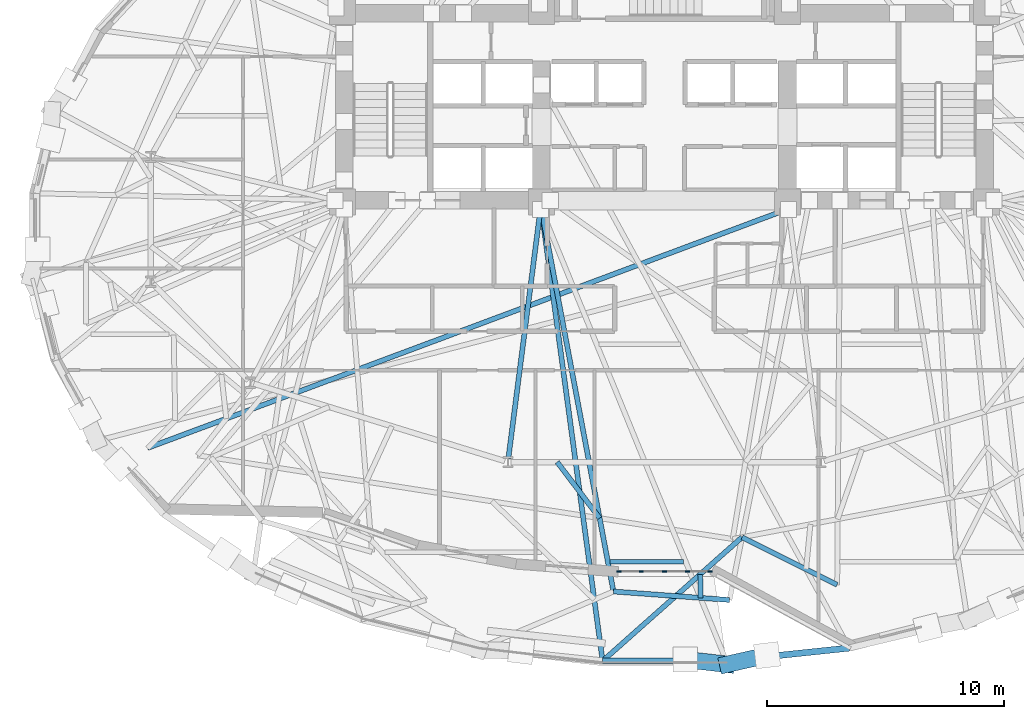
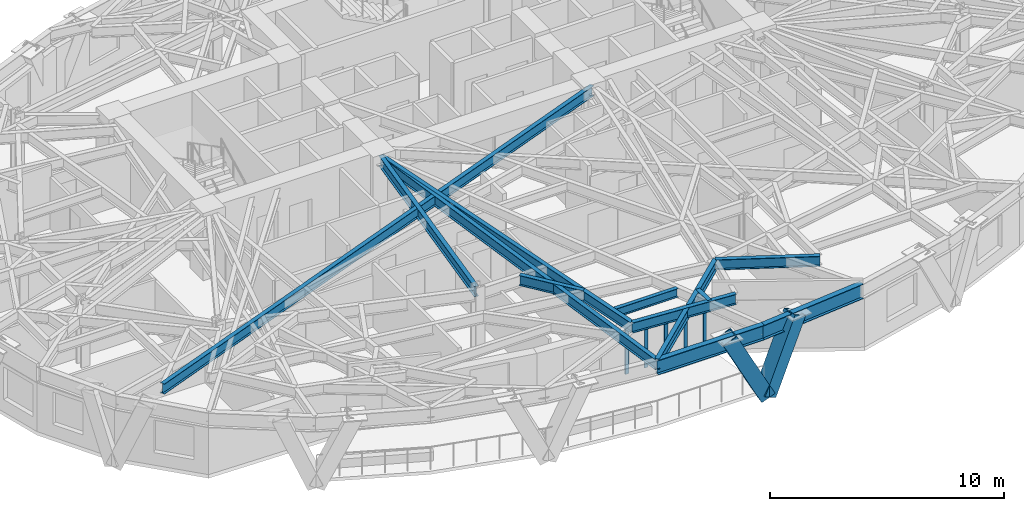
# One storey, part 2 of 15: 12 beams, 7 members, 1 element without a shape of its own.
"""IFC4 building model written with IfcOpenShell, lengths in metres."""

from ifc_helpers import new_model, si_unit, direction, frame, origin, origin_2d, place, context, subcontext, project, spatial, rectangle, hollow_rectangle, i_section, extrude, material, layer, layer_set, material_profile, profile_set, type_object, element, aggregate, save


model = new_model("IFC4")

# Units and contexts
model_context = context("Model", 3, precision=1e-05, world=origin(), true_north=direction((0.0, 1.0)))
body_context = subcontext(model_context, "Body", "Model", "MODEL_VIEW")
ifc_project = project(units=[si_unit("LENGTHUNIT", "METRE"), si_unit("AREAUNIT", "SQUARE_METRE"), si_unit("VOLUMEUNIT", "CUBIC_METRE"), si_unit("PLANEANGLEUNIT", "RADIAN"), si_unit("MASSUNIT", "GRAM", prefix="KILO")], contexts=[model_context])

# Site, building, storey
site_placement = place(None, origin())
site = spatial("IfcSite", under=ifc_project, at=site_placement, CompositionType="ELEMENT")
building_placement = place(site_placement, origin())
building = spatial("IfcBuilding", under=site, at=building_placement, Name="Keldmark Tower", CompositionType="ELEMENT")
storey_placement = place(building_placement, frame((0.0, 0.0, 114.10009765625)))
storey = spatial("IfcBuildingStorey", under=building, at=storey_placement, Name="L30", CompositionType="ELEMENT", Elevation=114.10009765625)

# Beam
ifc_material_1 = material(Name="Steel ASTM A992 Grade 50", Category="steel")
ifc_material_profile_1 = material_profile(ifc_material_1, i_section(OverallWidth=0.19091796875, OverallDepth=0.45703125, WebThickness=0.009033203125, FlangeThickness=0.014404296875, at=origin_2d()), Name="W18X50")
ifc_profile_set_1 = profile_set([ifc_material_profile_1], Name="Steel ASTM A992 Grade 50")
beam_type_1 = type_object("IfcBeamType", Name="Composite Floor Joist W18X50", PredefinedType="JOIST", material=ifc_profile_set_1)
beam_1_placement = place(storey_placement, frame((-2.290771484375, -13.800048828125, 3.081298828125), z_axis=(1.0, 0.0, 0.0), x_axis=(0.0, 1.0, 0.0)))
element("IfcBeam", 1, at=beam_1_placement, inside=storey, type_object=beam_type_1, Name="L30 Composite Floor Joist J02", PredefinedType="JOIST", context=body_context, shape_type="SweptSolid", body=[
    extrude(i_section(OverallWidth=0.19091796875, OverallDepth=0.45703125, WebThickness=0.009033203125, FlangeThickness=0.014404296875, at=origin_2d()), origin(), (0.0, 0.0, 1.0), 3.087158203125),
])

# Curtain wall, members
ifc_material_2 = material(Name="Unitized Thermally Broken Aluminum and Triple Low-E Glazing", Category="aluminium")
ifc_layer = layer(ifc_material_2, 0.219970703125)
ifc_layer_set = layer_set([ifc_layer], Name="Unitized Thermally Broken Aluminum and Triple Low-E Glazing")
curtain_wall_type = type_object("IfcCurtainWallType", Name="Spiralling Sky-Garden Feature Curtain Wall System", PredefinedType="NOTDEFINED", material=ifc_layer_set)
curtain_wall_placement = place(storey_placement, origin())
curtain_wall = element("IfcCurtainWall", 2, at=curtain_wall_placement, inside=storey, type_object=curtain_wall_type, Name="L30 Spiralling Sky-Garden Feature Curtain Wall System CW-L30-24", PredefinedType="NOTDEFINED")
ifc_material_3 = material(Name="Extruded Aluminum Alloy 6063-T6", Category="aluminium")
ifc_material_profile_2 = material_profile(ifc_material_3, rectangle(XDim=0.06005859375, YDim=0.179931640625, at=origin_2d()), Name="CWM60X180")
ifc_profile_set_2 = profile_set([ifc_material_profile_2], Name="Extruded Aluminum Alloy 6063-T6")
member_type_1 = type_object("IfcMemberType", Name="Curtain Wall Structural Mullion 60x180", PredefinedType="MULLION", material=ifc_profile_set_2)
member_1_placement = place(storey_placement, frame((1.92529296875, -14.2021484375, 0.0), z_axis=(0.0, 0.0, 1.0), x_axis=(0.0, -1.0, 0.0)))
member_1 = element("IfcMember", 3, at=member_1_placement, type_object=member_type_1, Name="CW mullion 1", PredefinedType="MULLION", context=body_context, shape_type="SweptSolid", body=[
    extrude(rectangle(XDim=0.06005859375, YDim=0.179931640625, at=origin_2d()), origin(), (0.0, 0.0, 1.0), 2.52783203125),
])
member_2_placement = place(storey_placement, frame((0.9775390625, -14.2021484375, 0.0), z_axis=(0.0, 0.0, 1.0), x_axis=(0.0, -1.0, 0.0)))
member_2 = element("IfcMember", 4, at=member_2_placement, type_object=member_type_1, Name="CW mullion 2", PredefinedType="MULLION", context=body_context, shape_type="SweptSolid", body=[
    extrude(rectangle(XDim=0.06005859375, YDim=0.179931640625, at=origin_2d()), origin(), (0.0, 0.0, 1.0), 2.52783203125),
])
member_3_placement = place(storey_placement, frame((0.0, -14.2021484375, 0.0), z_axis=(0.0, 0.0, 1.0), x_axis=(0.0, -1.0, 0.0)))
member_3 = element("IfcMember", 5, at=member_3_placement, type_object=member_type_1, Name="CW mullion 3", PredefinedType="MULLION", context=body_context, shape_type="SweptSolid", body=[
    extrude(rectangle(XDim=0.06005859375, YDim=0.179931640625, at=origin_2d()), origin(), (0.0, 0.0, 1.0), 2.52783203125),
])
member_4_placement = place(storey_placement, frame((-0.9775390625, -14.2021484375, 0.0), z_axis=(0.0, 0.0, 1.0), x_axis=(0.0, -1.0, 0.0)))
member_4 = element("IfcMember", 6, at=member_4_placement, type_object=member_type_1, Name="CW mullion 4", PredefinedType="MULLION", context=body_context, shape_type="SweptSolid", body=[
    extrude(rectangle(XDim=0.06005859375, YDim=0.179931640625, at=origin_2d()), origin(), (0.0, 0.0, 1.0), 2.52783203125),
])
member_5_placement = place(storey_placement, frame((-1.92529296875, -14.2021484375, 0.0), z_axis=(0.0, 0.0, 1.0), x_axis=(0.0, -1.0, 0.0)))
member_5 = element("IfcMember", 7, at=member_5_placement, type_object=member_type_1, Name="CW mullion 5", PredefinedType="MULLION", context=body_context, shape_type="SweptSolid", body=[
    extrude(rectangle(XDim=0.06005859375, YDim=0.179931640625, at=origin_2d()), origin(), (0.0, 0.0, 1.0), 2.52783203125),
])
aggregate(curtain_wall, [member_1, member_2, member_3, member_4, member_5])

# Members
ifc_material_4 = material(Name="Steel ASTM A572 Grade 50", Category="steel")
ifc_material_profile_3 = material_profile(ifc_material_4, hollow_rectangle(XDim=0.699951171875, YDim=0.699951171875, WallThickness=0.044921875, at=origin_2d()), Name="BOX700X700X45")
ifc_profile_set_3 = profile_set([ifc_material_profile_3], Name="Steel ASTM A572 Grade 50")
member_type_2 = type_object("IfcMemberType", Name="Diagrid Zone 2 Brace BOX700X700X45", PredefinedType="BRACE", material=ifc_profile_set_3)
member_6_placement = place(storey_placement, frame((2.6474609375, -18.123046875, -0.27001953125), z_axis=(-0.454972336139, 0.051876757478, 0.888993236972), x_axis=(-0.113287737135, -0.993562221813, 0.0)))
element("IfcMember", 8, at=member_6_placement, inside=storey, type_object=member_type_2, Name="L30 Perimeter Diagrid Brace 12B", PredefinedType="BRACE", context=body_context, shape_type="SweptSolid", body=[
    extrude(hollow_rectangle(XDim=0.699951171875, YDim=0.699951171875, WallThickness=0.044921875, at=origin_2d()), origin(), (0.0, 0.0, 1.0), 3.89208984375),
])
member_7_placement = place(storey_placement, frame((2.6357421875, -18.123046875, -0.27001953125), z_axis=(0.438849956225, 0.099125643472, 0.893076045322), x_axis=(-0.220325357236, 0.975426438518, 0.0)))
element("IfcMember", 9, at=member_7_placement, inside=storey, type_object=member_type_2, Name="L30 Perimeter Diagrid Brace 13A", PredefinedType="BRACE", context=body_context, shape_type="SweptSolid", body=[
    extrude(hollow_rectangle(XDim=0.699951171875, YDim=0.699951171875, WallThickness=0.044921875, at=origin_2d()), origin(), (0.0, 0.0, 1.0), 3.874267578125),
])

# Beams
ifc_material_5 = material(Name="Steel ASTM A992 Grade 50", Category="steel")
ifc_material_profile_4 = material_profile(ifc_material_5, i_section(OverallWidth=0.2099609375, OverallDepth=0.537109375, WebThickness=0.010986328125, FlangeThickness=0.017333984375, at=origin_2d()), Name="W21X68")
ifc_profile_set_4 = profile_set([ifc_material_profile_4], Name="Steel ASTM A992 Grade 50")
beam_type_2 = type_object("IfcBeamType", Name="Radial Tie Girder W21X68", PredefinedType="BEAM", material=ifc_profile_set_4)
beam_2_placement = place(storey_placement, frame((-6.594970703125, -9.4404296875, 3.04150390625), z_axis=(0.127642040045, 0.991820301069, 0.0), x_axis=(-0.991820301069, 0.127642040045, 0.0)))
element("IfcBeam", 10, at=beam_2_placement, inside=storey, type_object=beam_type_2, Name="L30 Floor Radial Girder FG-C09", PredefinedType="BEAM", context=body_context, shape_type="SweptSolid", body=[
    extrude(i_section(OverallWidth=0.2099609375, OverallDepth=0.537109375, WebThickness=0.010986328125, FlangeThickness=0.017333984375, at=origin_2d()), origin(), (0.0, 0.0, 1.0), 10.609619140625),
])
beam_3_placement = place(storey_placement, frame((5.199951171875, 1.10009765625, 3.04150390625), z_axis=(-0.936907887112, -0.349576330816, 0.0), x_axis=(0.349576330816, -0.936907887112, 0.0)))
element("IfcBeam", 11, at=beam_3_placement, inside=storey, type_object=beam_type_2, Name="L30 Intermediate Radial Step Girder RT-19M", PredefinedType="BEAM", context=body_context, shape_type="SweptSolid", body=[
    extrude(i_section(OverallWidth=0.2099609375, OverallDepth=0.537109375, WebThickness=0.010986328125, FlangeThickness=0.017333984375, at=origin_2d()), origin(), (0.0, 0.0, 1.0), 28.854736328125),
])
beam_4_placement = place(storey_placement, frame((-4.531005859375, -9.579345703125, 3.04150390625), z_axis=(0.603293056338, -0.797519584822, 0.0), x_axis=(0.797519584822, 0.603293056338, 0.0)))
element("IfcBeam", 12, at=beam_4_placement, inside=storey, type_object=beam_type_2, Name="L30 Framing Pin Header PH-037", PredefinedType="BEAM", context=body_context, shape_type="SweptSolid", body=[
    extrude(i_section(OverallWidth=0.2099609375, OverallDepth=0.537109375, WebThickness=0.010986328125, FlangeThickness=0.017333984375, at=origin_2d()), origin(), (0.0, 0.0, 1.0), 2.972900390625),
])
beam_5_placement = place(storey_placement, frame((-5.199951171875, 1.10009765625, 3.04150390625), z_axis=(0.185407047116, -0.982661806971, 0.0), x_axis=(0.982661806971, 0.185407047116, 0.0)))
element("IfcBeam", 13, at=beam_5_placement, inside=storey, type_object=beam_type_2, Name="L30 Intermediate Radial Step Girder RT-24M", PredefinedType="BEAM", context=body_context, shape_type="SweptSolid", body=[
    extrude(i_section(OverallWidth=0.2099609375, OverallDepth=0.537109375, WebThickness=0.010986328125, FlangeThickness=0.017333984375, at=origin_2d()), origin(), (0.0, 0.0, 1.0), 16.43212890625),
])
beam_6_placement = place(storey_placement, frame((-5.199951171875, 1.10009765625, 3.04150390625), z_axis=(0.134384985865, -0.990929198063, 0.0), x_axis=(0.990929198063, 0.134384985865, 0.0)))
element("IfcBeam", 14, at=beam_6_placement, inside=storey, type_object=beam_type_2, Name="L30 Perimeter Radial Tie Girder RT-24", PredefinedType="BEAM", context=body_context, shape_type="SweptSolid", body=[
    extrude(i_section(OverallWidth=0.2099609375, OverallDepth=0.537109375, WebThickness=0.010986328125, FlangeThickness=0.017333984375, at=origin_2d()), origin(), (0.0, 0.0, 1.0), 19.25537109375),
])
beam_7_placement = place(storey_placement, frame((-2.6123046875, -17.980712890625, 3.04150390625), z_axis=(0.747973583843, 0.663728497108, 0.0), x_axis=(-0.663728497108, 0.747973583843, 0.0)))
element("IfcBeam", 15, at=beam_7_placement, inside=storey, type_object=beam_type_2, Name="L30 Framing Pin Header PH-039", PredefinedType="BEAM", context=body_context, shape_type="SweptSolid", body=[
    extrude(i_section(OverallWidth=0.2099609375, OverallDepth=0.537109375, WebThickness=0.010986328125, FlangeThickness=0.017333984375, at=origin_2d()), origin(), (0.0, 0.0, 1.0), 7.873779296875),
])
beam_8_placement = place(storey_placement, frame((-2.1533203125, -15.047119140625, 3.04150390625), z_axis=(0.997343680856, -0.072839427895, 0.0), x_axis=(0.072839427895, 0.997343680856, 0.0)))
element("IfcBeam", 16, at=beam_8_placement, inside=storey, type_object=beam_type_2, Name="L30 Local Collector Chord RT-25C", PredefinedType="BEAM", context=body_context, shape_type="SweptSolid", body=[
    extrude(i_section(OverallWidth=0.2099609375, OverallDepth=0.537109375, WebThickness=0.010986328125, FlangeThickness=0.017333984375, at=origin_2d()), origin(), (0.0, 0.0, 1.0), 4.91357421875),
])
beam_9_placement = place(storey_placement, frame((1.51025390625, -14.322509765625, 3.04150390625), z_axis=(0.010818152253, -0.999941482079, 0.0), x_axis=(0.999941482079, 0.010818152253, 0.0)))
element("IfcBeam", 17, at=beam_9_placement, inside=storey, type_object=beam_type_2, Name="L30 Framing Pin Header PH-040", PredefinedType="BEAM", context=body_context, shape_type="SweptSolid", body=[
    extrude(i_section(OverallWidth=0.2099609375, OverallDepth=0.537109375, WebThickness=0.010986328125, FlangeThickness=0.017333984375, at=origin_2d()), origin(), (0.0, 0.0, 1.0), 0.992919921875),
])
beam_10_placement = place(storey_placement, frame((3.277099609375, -12.754638671875, 3.04150390625), z_axis=(0.894568476958, -0.446930911925, 0.0), x_axis=(0.446930911925, 0.894568476958, 0.0)))
element("IfcBeam", 18, at=beam_10_placement, inside=storey, type_object=beam_type_2, Name="L30 Local Collector Chord RT-26C", PredefinedType="BEAM", context=body_context, shape_type="SweptSolid", body=[
    extrude(i_section(OverallWidth=0.2099609375, OverallDepth=0.537109375, WebThickness=0.010986328125, FlangeThickness=0.017333984375, at=origin_2d()), origin(), (0.0, 0.0, 1.0), 4.491455078125),
])
ifc_material_6 = material(Name="Steel ASTM A992 Grade 50", Category="steel")
ifc_material_profile_5 = material_profile(ifc_material_6, i_section(OverallWidth=0.26806640625, OverallDepth=0.77001953125, WebThickness=0.015625, FlangeThickness=0.025390625, at=origin_2d()), Name="W30X132")
ifc_profile_set_5 = profile_set([ifc_material_profile_5], Name="Steel ASTM A992 Grade 50")
beam_type_3 = type_object("IfcBeamType", Name="Spandrel Ring Beam W30X132", PredefinedType="SPANDREL", material=ifc_profile_set_5)
beam_11_placement = place(storey_placement, frame((-2.6123046875, -17.980712890625, 2.9248046875), z_axis=(1.0, 0.0, 0.0), x_axis=(0.0, 1.0, 0.0)))
element("IfcBeam", 19, at=beam_11_placement, inside=storey, type_object=beam_type_3, Name="L30 Perimeter Spandrel Ring Beam SRB-24", PredefinedType="SPANDREL", context=body_context, shape_type="SweptSolid", body=[
    extrude(i_section(OverallWidth=0.26806640625, OverallDepth=0.77001953125, WebThickness=0.015625, FlangeThickness=0.025390625, at=origin_2d()), origin(), (0.0, 0.0, 1.0), 5.224609375),
])
beam_12_placement = place(storey_placement, frame((2.6123046875, -17.980712890625, 2.9248046875), z_axis=(0.994500836495, 0.104728631285, 0.0), x_axis=(-0.104728631285, 0.994500836495, 0.0)))
element("IfcBeam", 20, at=beam_12_placement, inside=storey, type_object=beam_type_3, Name="L30 Perimeter Spandrel Ring Beam SRB-25", PredefinedType="SPANDREL", context=body_context, shape_type="SweptSolid", body=[
    extrude(i_section(OverallWidth=0.26806640625, OverallDepth=0.77001953125, WebThickness=0.015625, FlangeThickness=0.025390625, at=origin_2d()), origin(), (0.0, 0.0, 1.0), 5.21728515625),
])

save(model, "model.ifc")
